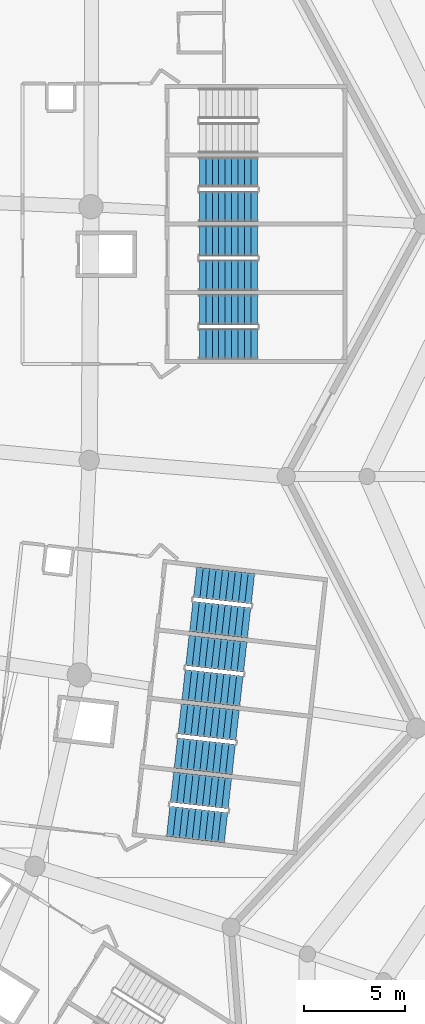
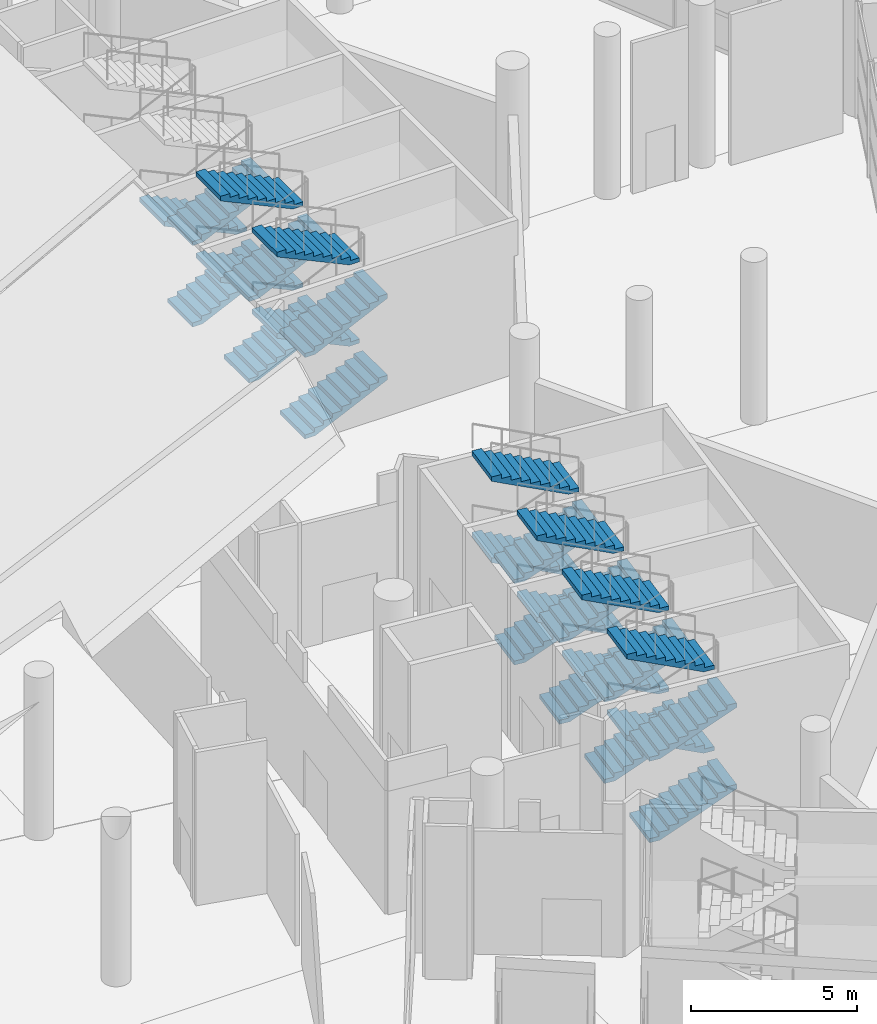
# One storey, part 189 of 249: 27 stair flights, 7 elements without a shape of their own.
"""IFC4 building model written with IfcOpenShell, lengths in metres."""

from ifc_helpers import new_model, si_unit, direction, frame, origin, place, context, subcontext, project, spatial, polyline, outline, extrude, material, type_object, element, aggregate, save


model = new_model("IFC4")

# Units and contexts
model_context = context("Model", 3, precision=1e-05, world=origin(), true_north=direction((0.0, 1.0)))
body_context = subcontext(model_context, "Body", "Model", "MODEL_VIEW")
ifc_project = project(units=[si_unit("LENGTHUNIT", "METRE"), si_unit("AREAUNIT", "SQUARE_METRE"), si_unit("VOLUMEUNIT", "CUBIC_METRE"), si_unit("PLANEANGLEUNIT", "RADIAN"), si_unit("MASSUNIT", "GRAM", prefix="KILO")], contexts=[model_context])

# Site, building, storey
site_placement = place(None, origin())
site = spatial("IfcSite", under=ifc_project, at=site_placement, CompositionType="ELEMENT")
building_placement = place(site_placement, origin())
building = spatial("IfcBuilding", under=site, at=building_placement, Name="Meseta Stadium", CompositionType="ELEMENT")
storey_placement = place(building_placement, frame((0.0, 0.0, 12.0)))
storey = spatial("IfcBuildingStorey", under=building, at=storey_placement, Name="L02", CompositionType="ELEMENT", Elevation=12.0)

# Stair, stair flights
ifc_material_1 = material(Name="Concrete C40/50", Category="concrete")
stair_type = type_object("IfcStairType", Name="Exit stair 4 flights 150 mm risers", PredefinedType="HALF_TURN_STAIR", material=ifc_material_1)
stair_1_placement = place(storey_placement, origin())
stair_1 = element("IfcStair", 1, at=stair_1_placement, inside=storey, type_object=stair_type, Name="ST1 L02", PredefinedType="HALF_TURN_STAIR")
ifc_material_2 = material(Name="Concrete C40/50", Category="concrete")
stair_flight_type = type_object("IfcStairFlightType", Name="Exit stair flight 150 mm risers, 4 per storey", PredefinedType="STRAIGHT", material=ifc_material_2)
stair_flight_1_placement = place(storey_placement, frame((88.759033203125, -60.805419921875, 0.0), z_axis=(0.0, 0.0, 1.0), x_axis=(0.993712210731, -0.11196446867, 0.0)))
stair_flight_1 = element("IfcStairFlight", 2, at=stair_flight_1_placement, type_object=stair_flight_type, Name="ST1 L02 flight 1", NumberOfRisers=10, NumberOfTreads=9, PredefinedType="STRAIGHT", RiserHeight=0.15, TreadLength=0.32, context=body_context, shape_type="SweptSolid", body=[
    extrude(outline(polyline([(0.0, 0.0), (0.0, 0.14990234375), (0.320068359375, 0.14990234375), (0.320068359375, 0.300048828125), (0.639892578125, 0.300048828125), (0.639892578125, 0.449951171875), (0.9599609375, 0.449951171875), (0.9599609375, 0.60009765625), (1.280029296875, 0.60009765625), (1.280029296875, 0.75), (1.60009765625, 0.75), (1.60009765625, 0.89990234375), (1.919921875, 0.89990234375), (1.919921875, 1.050048828125), (2.239990234375, 1.050048828125), (2.239990234375, 1.199951171875), (2.56005859375, 1.199951171875), (2.56005859375, 1.35009765625), (2.8798828125, 1.35009765625), (2.8798828125, 1.184326171875), (0.353271484375, 0.0), (0.0, 0.0)])), frame((0.0, 0.75, 0.0), z_axis=(0.0, -1.0, 0.0), x_axis=(1.0, 0.0, 0.0)), (0.0, 0.0, 1.0), 1.5),
])
stair_flight_2_placement = place(storey_placement, frame((91.811279296875, -59.4384765625, 1.5), z_axis=(0.0, 0.0, 1.0), x_axis=(-0.993712210731, 0.11196446867, 0.0)))
stair_flight_2 = element("IfcStairFlight", 3, at=stair_flight_2_placement, type_object=stair_flight_type, Name="ST1 L02 flight 2", NumberOfRisers=10, NumberOfTreads=9, PredefinedType="STRAIGHT", RiserHeight=0.15, TreadLength=0.32, context=body_context, shape_type="SweptSolid", body=[
    extrude(outline(polyline([(0.0, 0.0), (0.0, 0.14990234375), (0.320068359375, 0.14990234375), (0.320068359375, 0.300048828125), (0.639892578125, 0.300048828125), (0.639892578125, 0.449951171875), (0.9599609375, 0.449951171875), (0.9599609375, 0.60009765625), (1.280029296875, 0.60009765625), (1.280029296875, 0.75), (1.60009765625, 0.75), (1.60009765625, 0.89990234375), (1.919921875, 0.89990234375), (1.919921875, 1.050048828125), (2.239990234375, 1.050048828125), (2.239990234375, 1.199951171875), (2.56005859375, 1.199951171875), (2.56005859375, 1.35009765625), (2.8798828125, 1.35009765625), (2.8798828125, 1.184326171875), (0.353271484375, 0.0), (0.0, 0.0)])), frame((0.0, 0.75, 0.0), z_axis=(0.0, -1.0, 0.0), x_axis=(1.0, 0.0, 0.0)), (0.0, 0.0, 1.0), 1.5),
])
stair_flight_3_placement = place(storey_placement, frame((88.759033203125, -60.805419921875, 3.0), z_axis=(0.0, 0.0, 1.0), x_axis=(0.993712210731, -0.11196446867, 0.0)))
stair_flight_3 = element("IfcStairFlight", 4, at=stair_flight_3_placement, type_object=stair_flight_type, Name="ST1 L02 flight 3", NumberOfRisers=10, NumberOfTreads=9, PredefinedType="STRAIGHT", RiserHeight=0.15, TreadLength=0.32, context=body_context, shape_type="SweptSolid", body=[
    extrude(outline(polyline([(0.0, 0.0), (0.0, 0.14990234375), (0.320068359375, 0.14990234375), (0.320068359375, 0.300048828125), (0.639892578125, 0.300048828125), (0.639892578125, 0.449951171875), (0.9599609375, 0.449951171875), (0.9599609375, 0.60009765625), (1.280029296875, 0.60009765625), (1.280029296875, 0.75), (1.60009765625, 0.75), (1.60009765625, 0.89990234375), (1.919921875, 0.89990234375), (1.919921875, 1.050048828125), (2.239990234375, 1.050048828125), (2.239990234375, 1.199951171875), (2.56005859375, 1.199951171875), (2.56005859375, 1.35009765625), (2.8798828125, 1.35009765625), (2.8798828125, 1.184326171875), (0.353271484375, 0.0), (0.0, 0.0)])), frame((0.0, 0.75, 0.0), z_axis=(0.0, -1.0, 0.0), x_axis=(1.0, 0.0, 0.0)), (0.0, 0.0, 1.0), 1.5),
])
stair_flight_4_placement = place(storey_placement, frame((91.811279296875, -59.4384765625, 4.5), z_axis=(0.0, 0.0, 1.0), x_axis=(-0.993712210731, 0.11196446867, 0.0)))
stair_flight_4 = element("IfcStairFlight", 5, at=stair_flight_4_placement, type_object=stair_flight_type, Name="ST1 L02 flight 4", NumberOfRisers=10, NumberOfTreads=9, PredefinedType="STRAIGHT", RiserHeight=0.15, TreadLength=0.32, context=body_context, shape_type="SweptSolid", body=[
    extrude(outline(polyline([(0.0, 0.0), (0.0, 0.14990234375), (0.320068359375, 0.14990234375), (0.320068359375, 0.300048828125), (0.639892578125, 0.300048828125), (0.639892578125, 0.449951171875), (0.9599609375, 0.449951171875), (0.9599609375, 0.60009765625), (1.280029296875, 0.60009765625), (1.280029296875, 0.75), (1.60009765625, 0.75), (1.60009765625, 0.89990234375), (1.919921875, 0.89990234375), (1.919921875, 1.050048828125), (2.239990234375, 1.050048828125), (2.239990234375, 1.199951171875), (2.56005859375, 1.199951171875), (2.56005859375, 1.35009765625), (2.8798828125, 1.35009765625), (2.8798828125, 1.184326171875), (0.353271484375, 0.0), (0.0, 0.0)])), frame((0.0, 0.75, 0.0), z_axis=(0.0, -1.0, 0.0), x_axis=(1.0, 0.0, 0.0)), (0.0, 0.0, 1.0), 1.5),
])
aggregate(stair_1, [stair_flight_1, stair_flight_2, stair_flight_3, stair_flight_4])

stair_2_placement = place(storey_placement, origin())
stair_2 = element("IfcStair", 6, at=stair_2_placement, inside=storey, type_object=stair_type, Name="ST2 L02", PredefinedType="HALF_TURN_STAIR")
stair_flight_5_placement = place(storey_placement, frame((89.1396484375, -57.4267578125, 0.0), z_axis=(0.0, 0.0, 1.0), x_axis=(0.993712210731, -0.11196446867, 0.0)))
stair_flight_5 = element("IfcStairFlight", 7, at=stair_flight_5_placement, type_object=stair_flight_type, Name="ST2 L02 flight 1", NumberOfRisers=10, NumberOfTreads=9, PredefinedType="STRAIGHT", RiserHeight=0.15, TreadLength=0.32, context=body_context, shape_type="SweptSolid", body=[
    extrude(outline(polyline([(0.0, 0.0), (0.0, 0.14990234375), (0.320068359375, 0.14990234375), (0.320068359375, 0.300048828125), (0.639892578125, 0.300048828125), (0.639892578125, 0.449951171875), (0.9599609375, 0.449951171875), (0.9599609375, 0.60009765625), (1.280029296875, 0.60009765625), (1.280029296875, 0.75), (1.60009765625, 0.75), (1.60009765625, 0.89990234375), (1.919921875, 0.89990234375), (1.919921875, 1.050048828125), (2.239990234375, 1.050048828125), (2.239990234375, 1.199951171875), (2.56005859375, 1.199951171875), (2.56005859375, 1.35009765625), (2.8798828125, 1.35009765625), (2.8798828125, 1.184326171875), (0.353271484375, 0.0), (0.0, 0.0)])), frame((0.0, 0.75, 0.0), z_axis=(0.0, -1.0, 0.0), x_axis=(1.0, 0.0, 0.0)), (0.0, 0.0, 1.0), 1.5),
])
stair_flight_6_placement = place(storey_placement, frame((92.19189453125, -56.06005859375, 1.5), z_axis=(0.0, 0.0, 1.0), x_axis=(-0.993712210731, 0.11196446867, 0.0)))
stair_flight_6 = element("IfcStairFlight", 8, at=stair_flight_6_placement, type_object=stair_flight_type, Name="ST2 L02 flight 2", NumberOfRisers=10, NumberOfTreads=9, PredefinedType="STRAIGHT", RiserHeight=0.15, TreadLength=0.32, context=body_context, shape_type="SweptSolid", body=[
    extrude(outline(polyline([(0.0, 0.0), (0.0, 0.14990234375), (0.320068359375, 0.14990234375), (0.320068359375, 0.300048828125), (0.639892578125, 0.300048828125), (0.639892578125, 0.449951171875), (0.9599609375, 0.449951171875), (0.9599609375, 0.60009765625), (1.280029296875, 0.60009765625), (1.280029296875, 0.75), (1.60009765625, 0.75), (1.60009765625, 0.89990234375), (1.919921875, 0.89990234375), (1.919921875, 1.050048828125), (2.239990234375, 1.050048828125), (2.239990234375, 1.199951171875), (2.56005859375, 1.199951171875), (2.56005859375, 1.35009765625), (2.8798828125, 1.35009765625), (2.8798828125, 1.184326171875), (0.353271484375, 0.0), (0.0, 0.0)])), frame((0.0, 0.75, 0.0), z_axis=(0.0, -1.0, 0.0), x_axis=(1.0, 0.0, 0.0)), (0.0, 0.0, 1.0), 1.5),
])
stair_flight_7_placement = place(storey_placement, frame((89.1396484375, -57.4267578125, 3.0), z_axis=(0.0, 0.0, 1.0), x_axis=(0.993712210731, -0.11196446867, 0.0)))
stair_flight_7 = element("IfcStairFlight", 9, at=stair_flight_7_placement, type_object=stair_flight_type, Name="ST2 L02 flight 3", NumberOfRisers=10, NumberOfTreads=9, PredefinedType="STRAIGHT", RiserHeight=0.15, TreadLength=0.32, context=body_context, shape_type="SweptSolid", body=[
    extrude(outline(polyline([(0.0, 0.0), (0.0, 0.14990234375), (0.320068359375, 0.14990234375), (0.320068359375, 0.300048828125), (0.639892578125, 0.300048828125), (0.639892578125, 0.449951171875), (0.9599609375, 0.449951171875), (0.9599609375, 0.60009765625), (1.280029296875, 0.60009765625), (1.280029296875, 0.75), (1.60009765625, 0.75), (1.60009765625, 0.89990234375), (1.919921875, 0.89990234375), (1.919921875, 1.050048828125), (2.239990234375, 1.050048828125), (2.239990234375, 1.199951171875), (2.56005859375, 1.199951171875), (2.56005859375, 1.35009765625), (2.8798828125, 1.35009765625), (2.8798828125, 1.184326171875), (0.353271484375, 0.0), (0.0, 0.0)])), frame((0.0, 0.75, 0.0), z_axis=(0.0, -1.0, 0.0), x_axis=(1.0, 0.0, 0.0)), (0.0, 0.0, 1.0), 1.5),
])
stair_flight_8_placement = place(storey_placement, frame((92.19189453125, -56.06005859375, 4.5), z_axis=(0.0, 0.0, 1.0), x_axis=(-0.993712210731, 0.11196446867, 0.0)))
stair_flight_8 = element("IfcStairFlight", 10, at=stair_flight_8_placement, type_object=stair_flight_type, Name="ST2 L02 flight 4", NumberOfRisers=10, NumberOfTreads=9, PredefinedType="STRAIGHT", RiserHeight=0.15, TreadLength=0.32, context=body_context, shape_type="SweptSolid", body=[
    extrude(outline(polyline([(0.0, 0.0), (0.0, 0.14990234375), (0.320068359375, 0.14990234375), (0.320068359375, 0.300048828125), (0.639892578125, 0.300048828125), (0.639892578125, 0.449951171875), (0.9599609375, 0.449951171875), (0.9599609375, 0.60009765625), (1.280029296875, 0.60009765625), (1.280029296875, 0.75), (1.60009765625, 0.75), (1.60009765625, 0.89990234375), (1.919921875, 0.89990234375), (1.919921875, 1.050048828125), (2.239990234375, 1.050048828125), (2.239990234375, 1.199951171875), (2.56005859375, 1.199951171875), (2.56005859375, 1.35009765625), (2.8798828125, 1.35009765625), (2.8798828125, 1.184326171875), (0.353271484375, 0.0), (0.0, 0.0)])), frame((0.0, 0.75, 0.0), z_axis=(0.0, -1.0, 0.0), x_axis=(1.0, 0.0, 0.0)), (0.0, 0.0, 1.0), 1.5),
])
aggregate(stair_2, [stair_flight_5, stair_flight_6, stair_flight_7, stair_flight_8])

stair_3_placement = place(storey_placement, origin())
stair_3 = element("IfcStair", 11, at=stair_3_placement, inside=storey, type_object=stair_type, Name="ST3 L02", PredefinedType="HALF_TURN_STAIR")
stair_flight_9_placement = place(storey_placement, frame((89.5205078125, -54.048095703125, 0.0), z_axis=(0.0, 0.0, 1.0), x_axis=(0.993712210731, -0.11196446867, 0.0)))
stair_flight_9 = element("IfcStairFlight", 12, at=stair_flight_9_placement, type_object=stair_flight_type, Name="ST3 L02 flight 1", NumberOfRisers=10, NumberOfTreads=9, PredefinedType="STRAIGHT", RiserHeight=0.15, TreadLength=0.32, context=body_context, shape_type="SweptSolid", body=[
    extrude(outline(polyline([(0.0, 0.0), (0.0, 0.14990234375), (0.320068359375, 0.14990234375), (0.320068359375, 0.300048828125), (0.639892578125, 0.300048828125), (0.639892578125, 0.449951171875), (0.9599609375, 0.449951171875), (0.9599609375, 0.60009765625), (1.280029296875, 0.60009765625), (1.280029296875, 0.75), (1.60009765625, 0.75), (1.60009765625, 0.89990234375), (1.919921875, 0.89990234375), (1.919921875, 1.050048828125), (2.239990234375, 1.050048828125), (2.239990234375, 1.199951171875), (2.56005859375, 1.199951171875), (2.56005859375, 1.35009765625), (2.8798828125, 1.35009765625), (2.8798828125, 1.184326171875), (0.353271484375, 0.0), (0.0, 0.0)])), frame((0.0, 0.75, 0.0), z_axis=(0.0, -1.0, 0.0), x_axis=(1.0, 0.0, 0.0)), (0.0, 0.0, 1.0), 1.5),
])
stair_flight_10_placement = place(storey_placement, frame((92.572509765625, -52.681396484375, 1.5), z_axis=(0.0, 0.0, 1.0), x_axis=(-0.993712210731, 0.11196446867, 0.0)))
stair_flight_10 = element("IfcStairFlight", 13, at=stair_flight_10_placement, type_object=stair_flight_type, Name="ST3 L02 flight 2", NumberOfRisers=10, NumberOfTreads=9, PredefinedType="STRAIGHT", RiserHeight=0.15, TreadLength=0.32, context=body_context, shape_type="SweptSolid", body=[
    extrude(outline(polyline([(0.0, 0.0), (0.0, 0.14990234375), (0.320068359375, 0.14990234375), (0.320068359375, 0.300048828125), (0.639892578125, 0.300048828125), (0.639892578125, 0.449951171875), (0.9599609375, 0.449951171875), (0.9599609375, 0.60009765625), (1.280029296875, 0.60009765625), (1.280029296875, 0.75), (1.60009765625, 0.75), (1.60009765625, 0.89990234375), (1.919921875, 0.89990234375), (1.919921875, 1.050048828125), (2.239990234375, 1.050048828125), (2.239990234375, 1.199951171875), (2.56005859375, 1.199951171875), (2.56005859375, 1.35009765625), (2.8798828125, 1.35009765625), (2.8798828125, 1.184326171875), (0.353271484375, 0.0), (0.0, 0.0)])), frame((0.0, 0.75, 0.0), z_axis=(0.0, -1.0, 0.0), x_axis=(1.0, 0.0, 0.0)), (0.0, 0.0, 1.0), 1.5),
])
stair_flight_11_placement = place(storey_placement, frame((89.5205078125, -54.048095703125, 3.0), z_axis=(0.0, 0.0, 1.0), x_axis=(0.993712210731, -0.11196446867, 0.0)))
stair_flight_11 = element("IfcStairFlight", 14, at=stair_flight_11_placement, type_object=stair_flight_type, Name="ST3 L02 flight 3", NumberOfRisers=10, NumberOfTreads=9, PredefinedType="STRAIGHT", RiserHeight=0.15, TreadLength=0.32, context=body_context, shape_type="SweptSolid", body=[
    extrude(outline(polyline([(0.0, 0.0), (0.0, 0.14990234375), (0.320068359375, 0.14990234375), (0.320068359375, 0.300048828125), (0.639892578125, 0.300048828125), (0.639892578125, 0.449951171875), (0.9599609375, 0.449951171875), (0.9599609375, 0.60009765625), (1.280029296875, 0.60009765625), (1.280029296875, 0.75), (1.60009765625, 0.75), (1.60009765625, 0.89990234375), (1.919921875, 0.89990234375), (1.919921875, 1.050048828125), (2.239990234375, 1.050048828125), (2.239990234375, 1.199951171875), (2.56005859375, 1.199951171875), (2.56005859375, 1.35009765625), (2.8798828125, 1.35009765625), (2.8798828125, 1.184326171875), (0.353271484375, 0.0), (0.0, 0.0)])), frame((0.0, 0.75, 0.0), z_axis=(0.0, -1.0, 0.0), x_axis=(1.0, 0.0, 0.0)), (0.0, 0.0, 1.0), 1.5),
])
stair_flight_12_placement = place(storey_placement, frame((92.572509765625, -52.681396484375, 4.5), z_axis=(0.0, 0.0, 1.0), x_axis=(-0.993712210731, 0.11196446867, 0.0)))
stair_flight_12 = element("IfcStairFlight", 15, at=stair_flight_12_placement, type_object=stair_flight_type, Name="ST3 L02 flight 4", NumberOfRisers=10, NumberOfTreads=9, PredefinedType="STRAIGHT", RiserHeight=0.15, TreadLength=0.32, context=body_context, shape_type="SweptSolid", body=[
    extrude(outline(polyline([(0.0, 0.0), (0.0, 0.14990234375), (0.320068359375, 0.14990234375), (0.320068359375, 0.300048828125), (0.639892578125, 0.300048828125), (0.639892578125, 0.449951171875), (0.9599609375, 0.449951171875), (0.9599609375, 0.60009765625), (1.280029296875, 0.60009765625), (1.280029296875, 0.75), (1.60009765625, 0.75), (1.60009765625, 0.89990234375), (1.919921875, 0.89990234375), (1.919921875, 1.050048828125), (2.239990234375, 1.050048828125), (2.239990234375, 1.199951171875), (2.56005859375, 1.199951171875), (2.56005859375, 1.35009765625), (2.8798828125, 1.35009765625), (2.8798828125, 1.184326171875), (0.353271484375, 0.0), (0.0, 0.0)])), frame((0.0, 0.75, 0.0), z_axis=(0.0, -1.0, 0.0), x_axis=(1.0, 0.0, 0.0)), (0.0, 0.0, 1.0), 1.5),
])
aggregate(stair_3, [stair_flight_9, stair_flight_10, stair_flight_11, stair_flight_12])

stair_4_placement = place(storey_placement, origin())
stair_4 = element("IfcStair", 16, at=stair_4_placement, inside=storey, type_object=stair_type, Name="ST4 L02", PredefinedType="HALF_TURN_STAIR")
stair_flight_13_placement = place(storey_placement, frame((89.901123046875, -50.669677734375, 0.0), z_axis=(0.0, 0.0, 1.0), x_axis=(0.993712210731, -0.11196446867, 0.0)))
stair_flight_13 = element("IfcStairFlight", 17, at=stair_flight_13_placement, type_object=stair_flight_type, Name="ST4 L02 flight 1", NumberOfRisers=10, NumberOfTreads=9, PredefinedType="STRAIGHT", RiserHeight=0.15, TreadLength=0.32, context=body_context, shape_type="SweptSolid", body=[
    extrude(outline(polyline([(0.0, 0.0), (0.0, 0.14990234375), (0.320068359375, 0.14990234375), (0.320068359375, 0.300048828125), (0.639892578125, 0.300048828125), (0.639892578125, 0.449951171875), (0.9599609375, 0.449951171875), (0.9599609375, 0.60009765625), (1.280029296875, 0.60009765625), (1.280029296875, 0.75), (1.60009765625, 0.75), (1.60009765625, 0.89990234375), (1.919921875, 0.89990234375), (1.919921875, 1.050048828125), (2.239990234375, 1.050048828125), (2.239990234375, 1.199951171875), (2.56005859375, 1.199951171875), (2.56005859375, 1.35009765625), (2.8798828125, 1.35009765625), (2.8798828125, 1.184326171875), (0.353271484375, 0.0), (0.0, 0.0)])), frame((0.0, 0.75, 0.0), z_axis=(0.0, -1.0, 0.0), x_axis=(1.0, 0.0, 0.0)), (0.0, 0.0, 1.0), 1.5),
])
stair_flight_14_placement = place(storey_placement, frame((92.953369140625, -49.302734375, 1.5), z_axis=(0.0, 0.0, 1.0), x_axis=(-0.993712210731, 0.11196446867, 0.0)))
stair_flight_14 = element("IfcStairFlight", 18, at=stair_flight_14_placement, type_object=stair_flight_type, Name="ST4 L02 flight 2", NumberOfRisers=10, NumberOfTreads=9, PredefinedType="STRAIGHT", RiserHeight=0.15, TreadLength=0.32, context=body_context, shape_type="SweptSolid", body=[
    extrude(outline(polyline([(0.0, 0.0), (0.0, 0.14990234375), (0.320068359375, 0.14990234375), (0.320068359375, 0.300048828125), (0.639892578125, 0.300048828125), (0.639892578125, 0.449951171875), (0.9599609375, 0.449951171875), (0.9599609375, 0.60009765625), (1.280029296875, 0.60009765625), (1.280029296875, 0.75), (1.60009765625, 0.75), (1.60009765625, 0.89990234375), (1.919921875, 0.89990234375), (1.919921875, 1.050048828125), (2.239990234375, 1.050048828125), (2.239990234375, 1.199951171875), (2.56005859375, 1.199951171875), (2.56005859375, 1.35009765625), (2.8798828125, 1.35009765625), (2.8798828125, 1.184326171875), (0.353271484375, 0.0), (0.0, 0.0)])), frame((0.0, 0.75, 0.0), z_axis=(0.0, -1.0, 0.0), x_axis=(1.0, 0.0, 0.0)), (0.0, 0.0, 1.0), 1.5),
])
stair_flight_15_placement = place(storey_placement, frame((89.901123046875, -50.669677734375, 3.0), z_axis=(0.0, 0.0, 1.0), x_axis=(0.993712210731, -0.11196446867, 0.0)))
stair_flight_15 = element("IfcStairFlight", 19, at=stair_flight_15_placement, type_object=stair_flight_type, Name="ST4 L02 flight 3", NumberOfRisers=10, NumberOfTreads=9, PredefinedType="STRAIGHT", RiserHeight=0.15, TreadLength=0.32, context=body_context, shape_type="SweptSolid", body=[
    extrude(outline(polyline([(0.0, 0.0), (0.0, 0.14990234375), (0.320068359375, 0.14990234375), (0.320068359375, 0.300048828125), (0.639892578125, 0.300048828125), (0.639892578125, 0.449951171875), (0.9599609375, 0.449951171875), (0.9599609375, 0.60009765625), (1.280029296875, 0.60009765625), (1.280029296875, 0.75), (1.60009765625, 0.75), (1.60009765625, 0.89990234375), (1.919921875, 0.89990234375), (1.919921875, 1.050048828125), (2.239990234375, 1.050048828125), (2.239990234375, 1.199951171875), (2.56005859375, 1.199951171875), (2.56005859375, 1.35009765625), (2.8798828125, 1.35009765625), (2.8798828125, 1.184326171875), (0.353271484375, 0.0), (0.0, 0.0)])), frame((0.0, 0.75, 0.0), z_axis=(0.0, -1.0, 0.0), x_axis=(1.0, 0.0, 0.0)), (0.0, 0.0, 1.0), 1.5),
])
stair_flight_16_placement = place(storey_placement, frame((92.953369140625, -49.302734375, 4.5), z_axis=(0.0, 0.0, 1.0), x_axis=(-0.993712210731, 0.11196446867, 0.0)))
stair_flight_16 = element("IfcStairFlight", 20, at=stair_flight_16_placement, type_object=stair_flight_type, Name="ST4 L02 flight 4", NumberOfRisers=10, NumberOfTreads=9, PredefinedType="STRAIGHT", RiserHeight=0.15, TreadLength=0.32, context=body_context, shape_type="SweptSolid", body=[
    extrude(outline(polyline([(0.0, 0.0), (0.0, 0.14990234375), (0.320068359375, 0.14990234375), (0.320068359375, 0.300048828125), (0.639892578125, 0.300048828125), (0.639892578125, 0.449951171875), (0.9599609375, 0.449951171875), (0.9599609375, 0.60009765625), (1.280029296875, 0.60009765625), (1.280029296875, 0.75), (1.60009765625, 0.75), (1.60009765625, 0.89990234375), (1.919921875, 0.89990234375), (1.919921875, 1.050048828125), (2.239990234375, 1.050048828125), (2.239990234375, 1.199951171875), (2.56005859375, 1.199951171875), (2.56005859375, 1.35009765625), (2.8798828125, 1.35009765625), (2.8798828125, 1.184326171875), (0.353271484375, 0.0), (0.0, 0.0)])), frame((0.0, 0.75, 0.0), z_axis=(0.0, -1.0, 0.0), x_axis=(1.0, 0.0, 0.0)), (0.0, 0.0, 1.0), 1.5),
])
aggregate(stair_4, [stair_flight_13, stair_flight_14, stair_flight_15, stair_flight_16])

stair_5_placement = place(storey_placement, origin())
stair_5 = element("IfcStair", 21, at=stair_5_placement, inside=storey, type_object=stair_type, Name="ST5 L02", PredefinedType="HALF_TURN_STAIR")
stair_flight_17_placement = place(storey_placement, frame((90.300048828125, -37.199951171875, 0.0), z_axis=(0.0, 0.0, 1.0), x_axis=(1.0, 0.0, 0.0)))
stair_flight_17 = element("IfcStairFlight", 22, at=stair_flight_17_placement, type_object=stair_flight_type, Name="ST5 L02 flight 1", NumberOfRisers=10, NumberOfTreads=9, PredefinedType="STRAIGHT", RiserHeight=0.15, TreadLength=0.32, context=body_context, shape_type="SweptSolid", body=[
    extrude(outline(polyline([(0.0, 0.0), (0.0, 0.14990234375), (0.320068359375, 0.14990234375), (0.320068359375, 0.300048828125), (0.639892578125, 0.300048828125), (0.639892578125, 0.449951171875), (0.9599609375, 0.449951171875), (0.9599609375, 0.60009765625), (1.280029296875, 0.60009765625), (1.280029296875, 0.75), (1.60009765625, 0.75), (1.60009765625, 0.89990234375), (1.919921875, 0.89990234375), (1.919921875, 1.050048828125), (2.239990234375, 1.050048828125), (2.239990234375, 1.199951171875), (2.56005859375, 1.199951171875), (2.56005859375, 1.35009765625), (2.8798828125, 1.35009765625), (2.8798828125, 1.184326171875), (0.353271484375, 0.0), (0.0, 0.0)])), frame((0.0, 0.75, 0.0), z_axis=(0.0, -1.0, 0.0), x_axis=(1.0, 0.0, 0.0)), (0.0, 0.0, 1.0), 1.5),
])
stair_flight_18_placement = place(storey_placement, frame((93.179931640625, -35.5, 1.5), z_axis=(0.0, 0.0, 1.0), x_axis=(-1.0, 0.0, 0.0)))
stair_flight_18 = element("IfcStairFlight", 23, at=stair_flight_18_placement, type_object=stair_flight_type, Name="ST5 L02 flight 2", NumberOfRisers=10, NumberOfTreads=9, PredefinedType="STRAIGHT", RiserHeight=0.15, TreadLength=0.32, context=body_context, shape_type="SweptSolid", body=[
    extrude(outline(polyline([(0.0, 0.0), (0.0, 0.14990234375), (0.320068359375, 0.14990234375), (0.320068359375, 0.300048828125), (0.639892578125, 0.300048828125), (0.639892578125, 0.449951171875), (0.9599609375, 0.449951171875), (0.9599609375, 0.60009765625), (1.280029296875, 0.60009765625), (1.280029296875, 0.75), (1.60009765625, 0.75), (1.60009765625, 0.89990234375), (1.919921875, 0.89990234375), (1.919921875, 1.050048828125), (2.239990234375, 1.050048828125), (2.239990234375, 1.199951171875), (2.56005859375, 1.199951171875), (2.56005859375, 1.35009765625), (2.8798828125, 1.35009765625), (2.8798828125, 1.184326171875), (0.353271484375, 0.0), (0.0, 0.0)])), frame((0.0, 0.75, 0.0), z_axis=(0.0, -1.0, 0.0), x_axis=(1.0, 0.0, 0.0)), (0.0, 0.0, 1.0), 1.5),
])
stair_flight_19_placement = place(storey_placement, frame((90.300048828125, -37.199951171875, 3.0), z_axis=(0.0, 0.0, 1.0), x_axis=(1.0, 0.0, 0.0)))
stair_flight_19 = element("IfcStairFlight", 24, at=stair_flight_19_placement, type_object=stair_flight_type, Name="ST5 L02 flight 3", NumberOfRisers=10, NumberOfTreads=9, PredefinedType="STRAIGHT", RiserHeight=0.15, TreadLength=0.32, context=body_context, shape_type="SweptSolid", body=[
    extrude(outline(polyline([(0.0, 0.0), (0.0, 0.14990234375), (0.320068359375, 0.14990234375), (0.320068359375, 0.300048828125), (0.639892578125, 0.300048828125), (0.639892578125, 0.449951171875), (0.9599609375, 0.449951171875), (0.9599609375, 0.60009765625), (1.280029296875, 0.60009765625), (1.280029296875, 0.75), (1.60009765625, 0.75), (1.60009765625, 0.89990234375), (1.919921875, 0.89990234375), (1.919921875, 1.050048828125), (2.239990234375, 1.050048828125), (2.239990234375, 1.199951171875), (2.56005859375, 1.199951171875), (2.56005859375, 1.35009765625), (2.8798828125, 1.35009765625), (2.8798828125, 1.184326171875), (0.353271484375, 0.0), (0.0, 0.0)])), frame((0.0, 0.75, 0.0), z_axis=(0.0, -1.0, 0.0), x_axis=(1.0, 0.0, 0.0)), (0.0, 0.0, 1.0), 1.5),
])
stair_flight_20_placement = place(storey_placement, frame((93.179931640625, -35.5, 4.5), z_axis=(0.0, 0.0, 1.0), x_axis=(-1.0, 0.0, 0.0)))
stair_flight_20 = element("IfcStairFlight", 25, at=stair_flight_20_placement, type_object=stair_flight_type, Name="ST5 L02 flight 4", NumberOfRisers=10, NumberOfTreads=9, PredefinedType="STRAIGHT", RiserHeight=0.15, TreadLength=0.32, context=body_context, shape_type="SweptSolid", body=[
    extrude(outline(polyline([(0.0, 0.0), (0.0, 0.14990234375), (0.320068359375, 0.14990234375), (0.320068359375, 0.300048828125), (0.639892578125, 0.300048828125), (0.639892578125, 0.449951171875), (0.9599609375, 0.449951171875), (0.9599609375, 0.60009765625), (1.280029296875, 0.60009765625), (1.280029296875, 0.75), (1.60009765625, 0.75), (1.60009765625, 0.89990234375), (1.919921875, 0.89990234375), (1.919921875, 1.050048828125), (2.239990234375, 1.050048828125), (2.239990234375, 1.199951171875), (2.56005859375, 1.199951171875), (2.56005859375, 1.35009765625), (2.8798828125, 1.35009765625), (2.8798828125, 1.184326171875), (0.353271484375, 0.0), (0.0, 0.0)])), frame((0.0, 0.75, 0.0), z_axis=(0.0, -1.0, 0.0), x_axis=(1.0, 0.0, 0.0)), (0.0, 0.0, 1.0), 1.5),
])
aggregate(stair_5, [stair_flight_17, stair_flight_18, stair_flight_19, stair_flight_20])

stair_6_placement = place(storey_placement, origin())
stair_6 = element("IfcStair", 26, at=stair_6_placement, inside=storey, type_object=stair_type, Name="ST6 L02", PredefinedType="HALF_TURN_STAIR")
stair_flight_21_placement = place(storey_placement, frame((90.300048828125, -33.800048828125, 0.0), z_axis=(0.0, 0.0, 1.0), x_axis=(1.0, 0.0, 0.0)))
stair_flight_21 = element("IfcStairFlight", 27, at=stair_flight_21_placement, type_object=stair_flight_type, Name="ST6 L02 flight 1", NumberOfRisers=10, NumberOfTreads=9, PredefinedType="STRAIGHT", RiserHeight=0.15, TreadLength=0.32, context=body_context, shape_type="SweptSolid", body=[
    extrude(outline(polyline([(0.0, 0.0), (0.0, 0.14990234375), (0.320068359375, 0.14990234375), (0.320068359375, 0.300048828125), (0.639892578125, 0.300048828125), (0.639892578125, 0.449951171875), (0.9599609375, 0.449951171875), (0.9599609375, 0.60009765625), (1.280029296875, 0.60009765625), (1.280029296875, 0.75), (1.60009765625, 0.75), (1.60009765625, 0.89990234375), (1.919921875, 0.89990234375), (1.919921875, 1.050048828125), (2.239990234375, 1.050048828125), (2.239990234375, 1.199951171875), (2.56005859375, 1.199951171875), (2.56005859375, 1.35009765625), (2.8798828125, 1.35009765625), (2.8798828125, 1.184326171875), (0.353271484375, 0.0), (0.0, 0.0)])), frame((0.0, 0.75, 0.0), z_axis=(0.0, -1.0, 0.0), x_axis=(1.0, 0.0, 0.0)), (0.0, 0.0, 1.0), 1.5),
])
stair_flight_22_placement = place(storey_placement, frame((93.179931640625, -32.10009765625, 1.5), z_axis=(0.0, 0.0, 1.0), x_axis=(-1.0, 0.0, 0.0)))
stair_flight_22 = element("IfcStairFlight", 28, at=stair_flight_22_placement, type_object=stair_flight_type, Name="ST6 L02 flight 2", NumberOfRisers=10, NumberOfTreads=9, PredefinedType="STRAIGHT", RiserHeight=0.15, TreadLength=0.32, context=body_context, shape_type="SweptSolid", body=[
    extrude(outline(polyline([(0.0, 0.0), (0.0, 0.14990234375), (0.320068359375, 0.14990234375), (0.320068359375, 0.300048828125), (0.639892578125, 0.300048828125), (0.639892578125, 0.449951171875), (0.9599609375, 0.449951171875), (0.9599609375, 0.60009765625), (1.280029296875, 0.60009765625), (1.280029296875, 0.75), (1.60009765625, 0.75), (1.60009765625, 0.89990234375), (1.919921875, 0.89990234375), (1.919921875, 1.050048828125), (2.239990234375, 1.050048828125), (2.239990234375, 1.199951171875), (2.56005859375, 1.199951171875), (2.56005859375, 1.35009765625), (2.8798828125, 1.35009765625), (2.8798828125, 1.184326171875), (0.353271484375, 0.0), (0.0, 0.0)])), frame((0.0, 0.75, 0.0), z_axis=(0.0, -1.0, 0.0), x_axis=(1.0, 0.0, 0.0)), (0.0, 0.0, 1.0), 1.5),
])
stair_flight_23_placement = place(storey_placement, frame((90.300048828125, -33.800048828125, 3.0), z_axis=(0.0, 0.0, 1.0), x_axis=(1.0, 0.0, 0.0)))
stair_flight_23 = element("IfcStairFlight", 29, at=stair_flight_23_placement, type_object=stair_flight_type, Name="ST6 L02 flight 3", NumberOfRisers=10, NumberOfTreads=9, PredefinedType="STRAIGHT", RiserHeight=0.15, TreadLength=0.32, context=body_context, shape_type="SweptSolid", body=[
    extrude(outline(polyline([(0.0, 0.0), (0.0, 0.14990234375), (0.320068359375, 0.14990234375), (0.320068359375, 0.300048828125), (0.639892578125, 0.300048828125), (0.639892578125, 0.449951171875), (0.9599609375, 0.449951171875), (0.9599609375, 0.60009765625), (1.280029296875, 0.60009765625), (1.280029296875, 0.75), (1.60009765625, 0.75), (1.60009765625, 0.89990234375), (1.919921875, 0.89990234375), (1.919921875, 1.050048828125), (2.239990234375, 1.050048828125), (2.239990234375, 1.199951171875), (2.56005859375, 1.199951171875), (2.56005859375, 1.35009765625), (2.8798828125, 1.35009765625), (2.8798828125, 1.184326171875), (0.353271484375, 0.0), (0.0, 0.0)])), frame((0.0, 0.75, 0.0), z_axis=(0.0, -1.0, 0.0), x_axis=(1.0, 0.0, 0.0)), (0.0, 0.0, 1.0), 1.5),
])
stair_flight_24_placement = place(storey_placement, frame((93.179931640625, -32.10009765625, 4.5), z_axis=(0.0, 0.0, 1.0), x_axis=(-1.0, 0.0, 0.0)))
stair_flight_24 = element("IfcStairFlight", 30, at=stair_flight_24_placement, type_object=stair_flight_type, Name="ST6 L02 flight 4", NumberOfRisers=10, NumberOfTreads=9, PredefinedType="STRAIGHT", RiserHeight=0.15, TreadLength=0.32, context=body_context, shape_type="SweptSolid", body=[
    extrude(outline(polyline([(0.0, 0.0), (0.0, 0.14990234375), (0.320068359375, 0.14990234375), (0.320068359375, 0.300048828125), (0.639892578125, 0.300048828125), (0.639892578125, 0.449951171875), (0.9599609375, 0.449951171875), (0.9599609375, 0.60009765625), (1.280029296875, 0.60009765625), (1.280029296875, 0.75), (1.60009765625, 0.75), (1.60009765625, 0.89990234375), (1.919921875, 0.89990234375), (1.919921875, 1.050048828125), (2.239990234375, 1.050048828125), (2.239990234375, 1.199951171875), (2.56005859375, 1.199951171875), (2.56005859375, 1.35009765625), (2.8798828125, 1.35009765625), (2.8798828125, 1.184326171875), (0.353271484375, 0.0), (0.0, 0.0)])), frame((0.0, 0.75, 0.0), z_axis=(0.0, -1.0, 0.0), x_axis=(1.0, 0.0, 0.0)), (0.0, 0.0, 1.0), 1.5),
])
aggregate(stair_6, [stair_flight_21, stair_flight_22, stair_flight_23, stair_flight_24])

stair_7_placement = place(storey_placement, origin())
stair_7 = element("IfcStair", 31, at=stair_7_placement, inside=storey, type_object=stair_type, Name="ST7 L02", PredefinedType="HALF_TURN_STAIR")
stair_flight_25_placement = place(storey_placement, frame((90.300048828125, -30.39990234375, 0.0), z_axis=(0.0, 0.0, 1.0), x_axis=(1.0, 0.0, 0.0)))
stair_flight_25 = element("IfcStairFlight", 32, at=stair_flight_25_placement, type_object=stair_flight_type, Name="ST7 L02 flight 1", NumberOfRisers=10, NumberOfTreads=9, PredefinedType="STRAIGHT", RiserHeight=0.15, TreadLength=0.32, context=body_context, shape_type="SweptSolid", body=[
    extrude(outline(polyline([(0.0, 0.0), (0.0, 0.14990234375), (0.320068359375, 0.14990234375), (0.320068359375, 0.300048828125), (0.639892578125, 0.300048828125), (0.639892578125, 0.449951171875), (0.9599609375, 0.449951171875), (0.9599609375, 0.60009765625), (1.280029296875, 0.60009765625), (1.280029296875, 0.75), (1.60009765625, 0.75), (1.60009765625, 0.89990234375), (1.919921875, 0.89990234375), (1.919921875, 1.050048828125), (2.239990234375, 1.050048828125), (2.239990234375, 1.199951171875), (2.56005859375, 1.199951171875), (2.56005859375, 1.35009765625), (2.8798828125, 1.35009765625), (2.8798828125, 1.184326171875), (0.353271484375, 0.0), (0.0, 0.0)])), frame((0.0, 0.75, 0.0), z_axis=(0.0, -1.0, 0.0), x_axis=(1.0, 0.0, 0.0)), (0.0, 0.0, 1.0), 1.5),
])
stair_flight_26_placement = place(storey_placement, frame((93.179931640625, -28.699951171875, 1.5), z_axis=(0.0, 0.0, 1.0), x_axis=(-1.0, 0.0, 0.0)))
stair_flight_26 = element("IfcStairFlight", 33, at=stair_flight_26_placement, type_object=stair_flight_type, Name="ST7 L02 flight 2", NumberOfRisers=10, NumberOfTreads=9, PredefinedType="STRAIGHT", RiserHeight=0.15, TreadLength=0.32, context=body_context, shape_type="SweptSolid", body=[
    extrude(outline(polyline([(0.0, 0.0), (0.0, 0.14990234375), (0.320068359375, 0.14990234375), (0.320068359375, 0.300048828125), (0.639892578125, 0.300048828125), (0.639892578125, 0.449951171875), (0.9599609375, 0.449951171875), (0.9599609375, 0.60009765625), (1.280029296875, 0.60009765625), (1.280029296875, 0.75), (1.60009765625, 0.75), (1.60009765625, 0.89990234375), (1.919921875, 0.89990234375), (1.919921875, 1.050048828125), (2.239990234375, 1.050048828125), (2.239990234375, 1.199951171875), (2.56005859375, 1.199951171875), (2.56005859375, 1.35009765625), (2.8798828125, 1.35009765625), (2.8798828125, 1.184326171875), (0.353271484375, 0.0), (0.0, 0.0)])), frame((0.0, 0.75, 0.0), z_axis=(0.0, -1.0, 0.0), x_axis=(1.0, 0.0, 0.0)), (0.0, 0.0, 1.0), 1.5),
])
stair_flight_27_placement = place(storey_placement, frame((90.300048828125, -30.39990234375, 3.0), z_axis=(0.0, 0.0, 1.0), x_axis=(1.0, 0.0, 0.0)))
stair_flight_27 = element("IfcStairFlight", 34, at=stair_flight_27_placement, type_object=stair_flight_type, Name="ST7 L02 flight 3", NumberOfRisers=10, NumberOfTreads=9, PredefinedType="STRAIGHT", RiserHeight=0.15, TreadLength=0.32, context=body_context, shape_type="SweptSolid", body=[
    extrude(outline(polyline([(0.0, 0.0), (0.0, 0.14990234375), (0.320068359375, 0.14990234375), (0.320068359375, 0.300048828125), (0.639892578125, 0.300048828125), (0.639892578125, 0.449951171875), (0.9599609375, 0.449951171875), (0.9599609375, 0.60009765625), (1.280029296875, 0.60009765625), (1.280029296875, 0.75), (1.60009765625, 0.75), (1.60009765625, 0.89990234375), (1.919921875, 0.89990234375), (1.919921875, 1.050048828125), (2.239990234375, 1.050048828125), (2.239990234375, 1.199951171875), (2.56005859375, 1.199951171875), (2.56005859375, 1.35009765625), (2.8798828125, 1.35009765625), (2.8798828125, 1.184326171875), (0.353271484375, 0.0), (0.0, 0.0)])), frame((0.0, 0.75, 0.0), z_axis=(0.0, -1.0, 0.0), x_axis=(1.0, 0.0, 0.0)), (0.0, 0.0, 1.0), 1.5),
])
aggregate(stair_7, [stair_flight_25, stair_flight_26, stair_flight_27])

save(model, "model.ifc")
